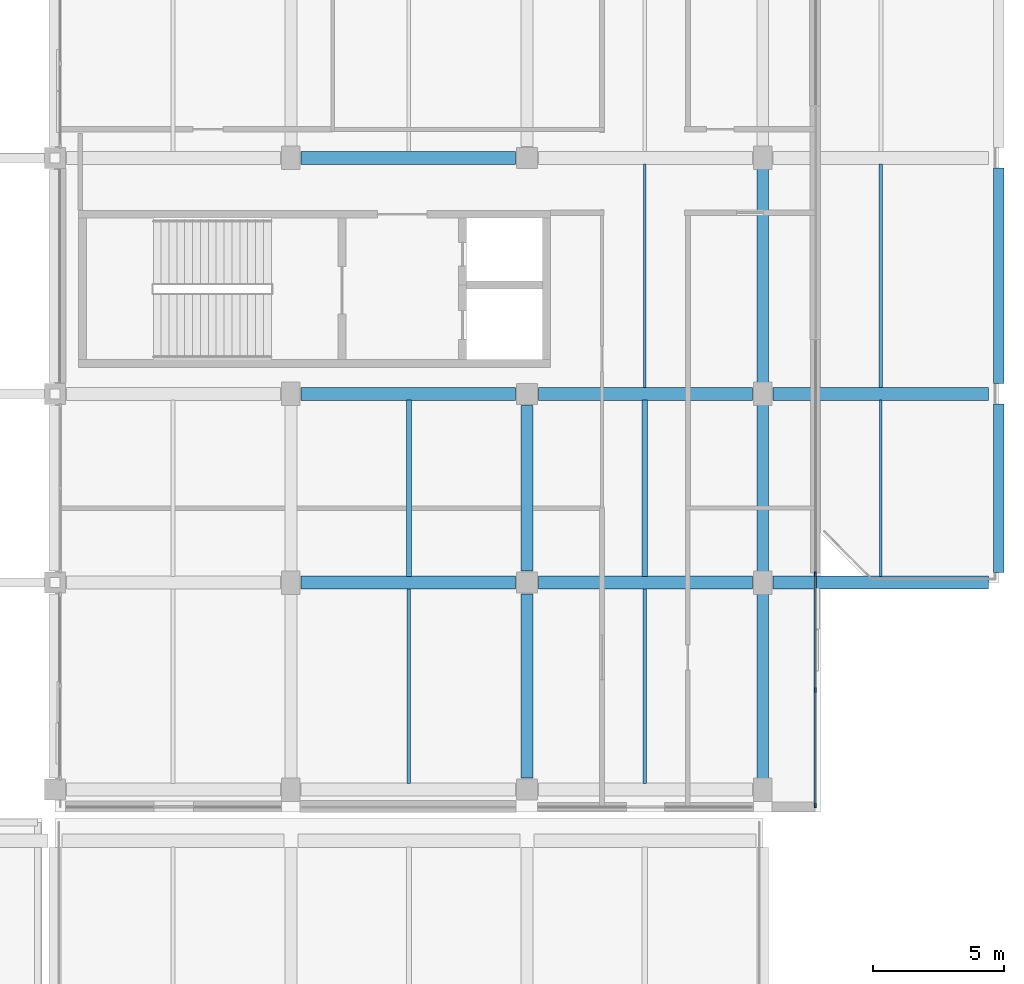
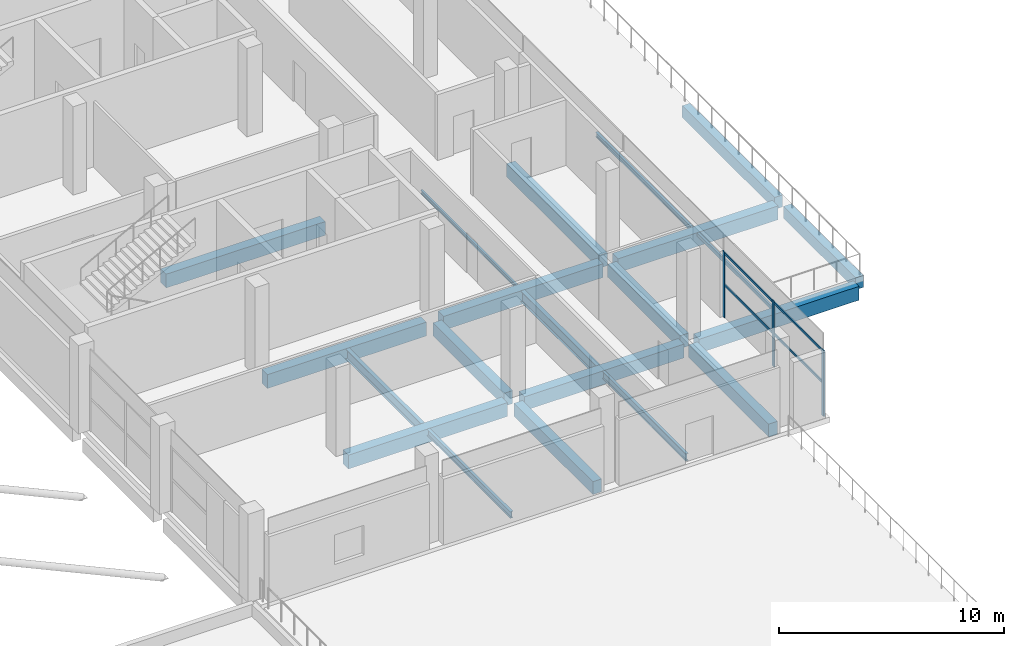
# One storey, part 26 of 82: 21 beams, 5 members, 1 element without a shape of its own.
"""IFC4 building model written with IfcOpenShell, lengths in metres."""

import ifcopenshell
import ifcopenshell.guid

model = None  # the IFC model being written
_history = None  # IfcOwnerHistory: only IFC2X3 demands one
_inside = {}  # id of a spatial element -> (the spatial element, [elements in it])
_under = {}  # id of a project, library or spatial element -> (it, [spatial elements below it])
_declared = {}  # id of a project -> (the project, [libraries it declares])
_typed = {}  # id of a type object -> (the type object, [elements of that type])
_made_of = {}  # id of a material, layer set ... -> (it, [elements and type objects made of it])


def new_model(schema):
    """Start an empty IFC model of exactly this schema.

    Asked for "IFC4X3", IfcOpenShell would pick the latest addendum, in which some entities
    have other attributes; the version numbers below select the first issue.
    IFC2X3 requires an IfcOwnerHistory on every rooted entity: one is made here for all.
    """
    global model, _history
    if schema == "IFC4X3":
        model = ifcopenshell.file(schema_version=(4, 3, 0, 0))
    else:
        model = ifcopenshell.file(schema=schema)
    _inside.clear()
    _under.clear()
    _declared.clear()
    _typed.clear()
    _made_of.clear()
    _history = None
    if model.schema == "IFC2X3":
        org = make("IfcOrganization", Name="unknown")
        user = make(
            "IfcPersonAndOrganization",
            ThePerson=make("IfcPerson", FamilyName="unknown"),
            TheOrganization=org,
        )
        app = make(
            "IfcApplication",
            ApplicationDeveloper=org,
            Version="unknown",
            ApplicationFullName="unknown",
            ApplicationIdentifier="unknown",
        )
        _history = make(
            "IfcOwnerHistory",
            OwningUser=user,
            OwningApplication=app,
            ChangeAction="ADDED",
            CreationDate=0,
        )
    return model


def make(cls, **values):
    """One entity of the class cls with the attributes given. An attribute that is None is left unset."""
    return model.create_entity(
        cls, **{name: value for name, value in values.items() if value is not None}
    )


def rooted(cls, **values):
    """An entity with a GlobalId (a new one), such as an element, a storey or a relation."""
    return make(cls, GlobalId=ifcopenshell.guid.new(), OwnerHistory=_history, **values)


def si_unit(unit_type, name, prefix=None):
    """IfcSIUnit, for example si_unit("LENGTHUNIT", "METRE", prefix="MILLI")."""
    return make("IfcSIUnit", UnitType=unit_type, Prefix=prefix, Name=name)


def assignment(units):
    """IfcUnitAssignment: the units of a project."""
    return None if units is None else make("IfcUnitAssignment", Units=units)


def point(xyz):
    """IfcCartesianPoint."""
    return None if xyz is None else make("IfcCartesianPoint", Coordinates=xyz)


def direction(xyz):
    """IfcDirection."""
    return None if xyz is None else make("IfcDirection", DirectionRatios=xyz)


def frame(location, z_axis=None, x_axis=None):
    """IfcAxis2Placement3D, a coordinate frame: its origin and axes. An axis left out is left unset."""
    return make(
        "IfcAxis2Placement3D",
        Location=point(location),
        Axis=direction(z_axis),
        RefDirection=direction(x_axis),
    )


def frame_2d(location, x_axis=None):
    """IfcAxis2Placement2D, a coordinate frame in the plane: its origin and x axis."""
    return make(
        "IfcAxis2Placement2D", Location=point(location), RefDirection=direction(x_axis)
    )


def origin():
    """The frame at (0, 0, 0) with its axes left unset."""
    return frame((0.0, 0.0, 0.0))


def origin_2d():
    """The frame at (0, 0) in the plane with its x axis left unset."""
    return frame_2d((0.0, 0.0))


def place(relative_to, where):
    """IfcLocalPlacement: puts the frame where relative to a parent placement (None: the world)."""
    return make(
        "IfcLocalPlacement", PlacementRelTo=relative_to, RelativePlacement=where
    )


def context(
    kind, dimensions, precision=None, world=None, true_north=None, identifier=None
):
    """IfcGeometricRepresentationContext, for example the 3D "Model" context."""
    return make(
        "IfcGeometricRepresentationContext",
        ContextIdentifier=identifier,
        ContextType=kind,
        CoordinateSpaceDimension=dimensions,
        Precision=precision,
        WorldCoordinateSystem=world,
        TrueNorth=true_north,
    )


def subcontext(parent, identifier, kind, view, scale=None):
    """IfcGeometricRepresentationSubContext, for example "Body" below "Model"."""
    return make(
        "IfcGeometricRepresentationSubContext",
        ContextIdentifier=identifier,
        ContextType=kind,
        ParentContext=parent,
        TargetScale=scale,
        TargetView=view,
    )


def project(units=None, contexts=None):
    """IfcProject with its units and contexts."""
    return rooted(
        "IfcProject",
        Name="project",
        RepresentationContexts=contexts,
        UnitsInContext=assignment(units),
    )


def spatial(cls, under=None, at=None, **own):
    """A site, building, storey or space (cls), placed at a placement, below another one or the project."""
    s = rooted(cls, ObjectPlacement=at, **own)
    if under is not None:
        _under.setdefault(under.id(), (under, []))[1].append(s)
    return s


def profile(cls, at=None, kind="AREA", **sizes):
    """A parametric profile (cls). Its sizes go by their IFC names, for example OverallWidth=200.0."""
    return make(cls, ProfileType=kind, Position=at, **sizes)


def rectangle(**sizes):
    """IfcRectangleProfileDef."""
    return profile("IfcRectangleProfileDef", **sizes)


def hollow_rectangle(**sizes):
    """IfcRectangleHollowProfileDef."""
    return profile("IfcRectangleHollowProfileDef", **sizes)


def i_section(**sizes):
    """IfcIShapeProfileDef."""
    return profile("IfcIShapeProfileDef", **sizes)


def extrude(swept, where, along, depth):
    """IfcExtrudedAreaSolid: the profile swept, set in the frame where, extruded along a direction by depth."""
    return make(
        "IfcExtrudedAreaSolid",
        SweptArea=swept,
        Position=where,
        ExtrudedDirection=direction(along),
        Depth=depth,
    )


def shape(context_of_items, identifier, shape_type, items):
    """IfcShapeRepresentation: the items that make up one representation, for example the "Body"."""
    return make(
        "IfcShapeRepresentation",
        ContextOfItems=context_of_items,
        RepresentationIdentifier=identifier,
        RepresentationType=shape_type,
        Items=items,
    )


def material(Name=None, Category=None):
    """IfcMaterial."""
    return make("IfcMaterial", Name=Name, Category=Category)


def material_profile(
    of_material, cross_section, Name=None, Category=None, Priority=None
):
    """IfcMaterialProfile: a cross section and its material."""
    return make(
        "IfcMaterialProfile",
        Name=Name,
        Material=of_material,
        Profile=cross_section,
        Priority=Priority,
        Category=Category,
    )


def profile_set(profiles, Name=None, composite=None):
    """IfcMaterialProfileSet."""
    return make(
        "IfcMaterialProfileSet",
        Name=Name,
        MaterialProfiles=profiles,
        CompositeProfile=composite,
    )


def made_of(thing, what):
    """Note that an element or type object is made of a material, layer set ...; save() writes the relation."""
    if what is not None:
        _made_of.setdefault(what.id(), (what, []))[1].append(thing)
    return thing


def type_object(cls, material=None, **own):
    """A type object (cls), such as IfcWallType, which elements share."""
    return made_of(rooted(cls, **own), material)


def element(
    cls,
    number,
    at=None,
    inside=None,
    cuts=None,
    type_object=None,
    material=None,
    context=None,
    identifier="Body",
    shape_type=None,
    held_by="IfcProductDefinitionShape",
    body=None,
    shapes=None,
    **own,
):
    """One element of the class cls, such as IfcWall. Its Tag is "e" and its number.

    at: its placement. inside: the storey or other place that contains it. cuts: it is an
    opening in that element (IfcRelVoidsElement). A single representation is given by context,
    identifier, shape_type and body (its items); several are given by shapes. held_by: the class
    of the entity that holds the representations. save() writes the other relations.
    """
    e = rooted(cls, Tag="e%d" % number, ObjectPlacement=at, **own)
    if body is not None:
        shapes = [shape(context, identifier, shape_type, body)]
    if shapes is not None:
        e.Representation = make(held_by, Representations=shapes)
    if inside is not None:
        _inside.setdefault(inside.id(), (inside, []))[1].append(e)
    if cuts is not None:
        rooted(
            "IfcRelVoidsElement", RelatingBuildingElement=cuts, RelatedOpeningElement=e
        )
    if type_object is not None:
        _typed.setdefault(type_object.id(), (type_object, []))[1].append(e)
    return made_of(e, material)


def aggregate(whole, parts):
    """IfcRelAggregates: a whole, such as a stair, and the parts it consists of."""
    return rooted("IfcRelAggregates", RelatingObject=whole, RelatedObjects=parts)


def save(model, path):
    """Write the relations noted so far, then the file.

    IfcRelAggregates (storeys below a building ...), IfcRelContainedInSpatialStructure (elements
    in a storey), IfcRelDefinesByType, IfcRelAssociatesMaterial and IfcRelDeclares: one each for
    every whole, place, type object, material and project.
    """
    for whole, parts in _under.values():
        aggregate(whole, parts)
    for where, things in _inside.values():
        rooted(
            "IfcRelContainedInSpatialStructure",
            RelatedElements=things,
            RelatingStructure=where,
        )
    for kind, things in _typed.values():
        rooted("IfcRelDefinesByType", RelatedObjects=things, RelatingType=kind)
    for what, things in _made_of.values():
        rooted("IfcRelAssociatesMaterial", RelatedObjects=things, RelatingMaterial=what)
    for by, libraries in _declared.values():
        rooted("IfcRelDeclares", RelatingContext=by, RelatedDefinitions=libraries)
    model.write(path)


model = new_model("IFC4")

# Units and contexts
model_context = context("Model", 3, precision=1e-05, world=origin(), true_north=direction((0.0, 1.0)))
body_context = subcontext(model_context, "Body", "Model", "MODEL_VIEW")
ifc_project = project(units=[si_unit("LENGTHUNIT", "METRE"), si_unit("AREAUNIT", "SQUARE_METRE"), si_unit("VOLUMEUNIT", "CUBIC_METRE"), si_unit("PLANEANGLEUNIT", "RADIAN"), si_unit("MASSUNIT", "GRAM", prefix="KILO"), si_unit("THERMODYNAMICTEMPERATUREUNIT", "KELVIN"), si_unit("POWERUNIT", "WATT")], contexts=[model_context])

# Site, building, storey
site_placement = place(None, origin())
site = spatial("IfcSite", under=ifc_project, at=site_placement, CompositionType="ELEMENT")
building_placement = place(site_placement, origin())
building = spatial("IfcBuilding", under=site, at=building_placement, Name="Sindhuravela Promenade Stadium", CompositionType="ELEMENT")
storey_placement = place(building_placement, frame((0.0, 0.0, 14.39990234375)))
storey = spatial("IfcBuildingStorey", under=building, at=storey_placement, Name="L03", CompositionType="ELEMENT", Elevation=14.39990234375)

# Curtain wall, members
ifc_material_1 = material(Name="Anodised architectural aluminium 6063-T6", Category="aluminium")
curtain_wall_type = type_object("IfcCurtainWallType", Name="CW-MOD-1", PredefinedType="NOTDEFINED", material=ifc_material_1)
curtain_wall_placement = place(storey_placement, origin())
curtain_wall = element("IfcCurtainWall", 1, at=curtain_wall_placement, inside=storey, type_object=curtain_wall_type, Name="Bronze curtain wall CW-EAST-L03-128", PredefinedType="NOTDEFINED")
ifc_material_profile_1 = material_profile(ifc_material_1, rectangle(XDim=0.06005859375, YDim=0.179931640625, at=origin_2d()), Name="ALU M60x180")
ifc_profile_set_1 = profile_set([ifc_material_profile_1], Name="Anodised architectural aluminium 6063-T6")
member_type_1 = type_object("IfcMemberType", Name="CW-MUL-3", PredefinedType="MULLION", material=ifc_profile_set_1)
member_1_placement = place(storey_placement, frame((209.0, 45.31494140625, 0.0), z_axis=(0.0, 0.0, 1.0), x_axis=(1.0, 0.0, 0.0)))
member_1 = element("IfcMember", 2, at=member_1_placement, type_object=member_type_1, Name="Curtain wall mullion CW-EAST-L03-128-M1", PredefinedType="MULLION", context=body_context, shape_type="SweptSolid", body=[
    extrude(rectangle(XDim=0.06005859375, YDim=0.179931640625, at=origin_2d()), origin(), (0.0, 0.0, 1.0), 3.580078125),
])
member_2_placement = place(storey_placement, frame((209.0, 40.905029296875, 0.0), z_axis=(0.0, 0.0, 1.0), x_axis=(1.0, 0.0, 0.0)))
member_2 = element("IfcMember", 3, at=member_2_placement, type_object=member_type_1, Name="Curtain wall mullion CW-EAST-L03-128-M2", PredefinedType="MULLION", context=body_context, shape_type="SweptSolid", body=[
    extrude(rectangle(XDim=0.06005859375, YDim=0.179931640625, at=origin_2d()), origin(), (0.0, 0.0, 1.0), 3.580078125),
])
member_3_placement = place(storey_placement, frame((209.0, 36.4951171875, 0.0), z_axis=(0.0, 0.0, 1.0), x_axis=(1.0, 0.0, 0.0)))
member_3 = element("IfcMember", 4, at=member_3_placement, type_object=member_type_1, Name="Curtain wall mullion CW-EAST-L03-128-M3", PredefinedType="MULLION", context=body_context, shape_type="SweptSolid", body=[
    extrude(rectangle(XDim=0.06005859375, YDim=0.179931640625, at=origin_2d()), origin(), (0.0, 0.0, 1.0), 3.580078125),
])
ifc_material_profile_2 = material_profile(ifc_material_1, rectangle(XDim=0.06005859375, YDim=0.1298828125, at=origin_2d()), Name="ALU T60x130")
ifc_profile_set_2 = profile_set([ifc_material_profile_2], Name="Anodised architectural aluminium 6063-T6")
member_type_2 = type_object("IfcMemberType", Name="CW-TRN-3", PredefinedType="USERDEFINED", material=ifc_profile_set_2)
member_4_placement = place(storey_placement, frame((209.0, 45.340087890625, 1.7900390625), z_axis=(0.0, -1.0, 0.0), x_axis=(1.0, 0.0, 0.0)))
member_4 = element("IfcMember", 5, at=member_4_placement, type_object=member_type_2, Name="Curtain wall transom CW-EAST-L03-128-T1", ObjectType="TRANSOM", PredefinedType="USERDEFINED", context=body_context, shape_type="SweptSolid", body=[
    extrude(rectangle(XDim=0.06005859375, YDim=0.1298828125, at=origin_2d()), origin(), (0.0, 0.0, 1.0), 8.8701171875),
])
member_5_placement = place(storey_placement, frame((209.0, 45.340087890625, 3.5), z_axis=(0.0, -1.0, 0.0), x_axis=(1.0, 0.0, 0.0)))
member_5 = element("IfcMember", 6, at=member_5_placement, type_object=member_type_2, Name="Curtain wall transom CW-EAST-L03-128-T2", ObjectType="TRANSOM", PredefinedType="USERDEFINED", context=body_context, shape_type="SweptSolid", body=[
    extrude(rectangle(XDim=0.06005859375, YDim=0.1298828125, at=origin_2d()), origin(), (0.0, 0.0, 1.0), 8.8701171875),
])
aggregate(curtain_wall, [member_1, member_2, member_3, member_4, member_5])

# Beams
ifc_material_2 = material(Name="Concrete M40", Category="concrete")
ifc_material_profile_3 = material_profile(ifc_material_2, rectangle(XDim=0.39990234375, YDim=0.64990234375, at=origin_2d()), Name="RC 400x650")
ifc_profile_set_3 = profile_set([ifc_material_profile_3], Name="Concrete M40")
beam_type_1 = type_object("IfcBeamType", Name="RC-BM-400x650", PredefinedType="SPANDREL", material=ifc_profile_set_3)
beam_1_placement = place(storey_placement, frame((216.0, 45.389892578125, -0.635009765625), z_axis=(0.0, 1.0, 0.0), x_axis=(-1.0, 0.0, 0.0)))
element("IfcBeam", 7, at=beam_1_placement, inside=storey, type_object=beam_type_1, Name="Primary beam SP01 EAST L03", PredefinedType="SPANDREL", context=body_context, shape_type="SweptSolid", body=[
    extrude(rectangle(XDim=0.39990234375, YDim=0.64990234375, at=origin_2d()), origin(), (0.0, 0.0, 1.0), 6.420166015625),
])
beam_2_placement = place(storey_placement, frame((216.0, 52.590087890625, -0.635009765625), z_axis=(0.0, 1.0, 0.0), x_axis=(-1.0, 0.0, 0.0)))
element("IfcBeam", 8, at=beam_2_placement, inside=storey, type_object=beam_type_1, Name="Primary beam SP01 EAST L03", PredefinedType="SPANDREL", context=body_context, shape_type="SweptSolid", body=[
    extrude(rectangle(XDim=0.39990234375, YDim=0.64990234375, at=origin_2d()), origin(), (0.0, 0.0, 1.0), 8.219970703125),
])
ifc_material_profile_4 = material_profile(ifc_material_2, rectangle(XDim=0.449951171875, YDim=0.699951171875, at=origin_2d()), Name="RC 450x700")
ifc_profile_set_4 = profile_set([ifc_material_profile_4], Name="Concrete M40")
beam_type_2 = type_object("IfcBeamType", Name="RC-BM-450x700", PredefinedType="BEAM", material=ifc_profile_set_4)
beam_3_placement = place(storey_placement, frame((198.0, 37.5400390625, -0.64990234375), z_axis=(0.0, 1.0, 0.0), x_axis=(-1.0, 0.0, 0.0)))
element("IfcBeam", 9, at=beam_3_placement, inside=storey, type_object=beam_type_2, Name="Primary beam GB07 EAST L03", PredefinedType="BEAM", context=body_context, shape_type="SweptSolid", body=[
    extrude(rectangle(XDim=0.449951171875, YDim=0.699951171875, at=origin_2d()), origin(), (0.0, 0.0, 1.0), 7.02001953125),
])
beam_4_placement = place(storey_placement, frame((198.0, 45.43994140625, -0.64990234375), z_axis=(0.0, 1.0, 0.0), x_axis=(-1.0, 0.0, 0.0)))
element("IfcBeam", 10, at=beam_4_placement, inside=storey, type_object=beam_type_2, Name="Primary beam GB07 EAST L03", PredefinedType="BEAM", context=body_context, shape_type="SweptSolid", body=[
    extrude(rectangle(XDim=0.449951171875, YDim=0.699951171875, at=origin_2d()), origin(), (0.0, 0.0, 1.0), 6.320068359375),
])
beam_5_placement = place(storey_placement, frame((207.0, 37.489990234375, -0.64990234375), z_axis=(0.0, 1.0, 0.0), x_axis=(-1.0, 0.0, 0.0)))
element("IfcBeam", 11, at=beam_5_placement, inside=storey, type_object=beam_type_2, Name="Primary beam GB07 EAST L03", PredefinedType="BEAM", context=body_context, shape_type="SweptSolid", body=[
    extrude(rectangle(XDim=0.449951171875, YDim=0.699951171875, at=origin_2d()), origin(), (0.0, 0.0, 1.0), 7.1201171875),
])
beam_6_placement = place(storey_placement, frame((207.0, 45.389892578125, -0.64990234375), z_axis=(0.0, 1.0, 0.0), x_axis=(-1.0, 0.0, 0.0)))
element("IfcBeam", 12, at=beam_6_placement, inside=storey, type_object=beam_type_2, Name="Primary beam GB07 EAST L03", PredefinedType="BEAM", context=body_context, shape_type="SweptSolid", body=[
    extrude(rectangle(XDim=0.449951171875, YDim=0.699951171875, at=origin_2d()), origin(), (0.0, 0.0, 1.0), 6.420166015625),
])
beam_7_placement = place(storey_placement, frame((207.0, 52.590087890625, -0.64990234375), z_axis=(0.0, 1.0, 0.0), x_axis=(-1.0, 0.0, 0.0)))
element("IfcBeam", 13, at=beam_7_placement, inside=storey, type_object=beam_type_2, Name="Primary beam GB07 EAST L03", PredefinedType="BEAM", context=body_context, shape_type="SweptSolid", body=[
    extrude(rectangle(XDim=0.449951171875, YDim=0.699951171875, at=origin_2d()), origin(), (0.0, 0.0, 1.0), 8.219970703125),
])
ifc_material_profile_5 = material_profile(ifc_material_2, rectangle(XDim=0.5, YDim=0.75, at=origin_2d()), Name="RC 500x750")
ifc_profile_set_5 = profile_set([ifc_material_profile_5], Name="Concrete M40")
beam_type_3 = type_object("IfcBeamType", Name="RC-BM-500x750", PredefinedType="BEAM", material=ifc_profile_set_5)
for number, where, z_axis, x_axis, name in (
    (14, (189.389892578125, 45.0, -0.6748046875), (1.0, 0.0, 0.0), (0.0, 1.0, 0.0), "Primary girder GB06 EAST L03"),
    (15, (198.43994140625, 45.0, -0.6748046875), (1.0, 0.0, 0.0), (0.0, 1.0, 0.0), "Primary girder GB06 EAST L03"),
):
    element("IfcBeam", number, at=place(storey_placement, frame(where, z_axis=z_axis, x_axis=x_axis)), inside=storey, type_object=beam_type_3, Name=name, PredefinedType="BEAM", context=body_context, shape_type="SweptSolid", body=[
        extrude(rectangle(XDim=0.5, YDim=0.75, at=origin_2d()), origin(), (0.0, 0.0, 1.0), 8.170166015625),
    ])
beam_8_placement = place(storey_placement, frame((207.389892578125, 45.0, -0.684814453125), z_axis=(1.0, 0.0, 0.0), x_axis=(0.0, 1.0, 0.0)))
element("IfcBeam", 16, at=beam_8_placement, inside=storey, type_object=beam_type_3, Name="Primary girder GB06 EAST L03", PredefinedType="BEAM", context=body_context, shape_type="SweptSolid", body=[
    extrude(rectangle(XDim=0.5, YDim=0.75, at=origin_2d()), origin(), (0.0, 0.0, 1.0), 8.22021484375),
])
for number, where, z_axis, x_axis, name in (
    (17, (189.389892578125, 52.199951171875, -0.6748046875), (1.0, 0.0, 0.0), (0.0, 1.0, 0.0), "Primary girder GB06 EAST L03"),
    (18, (198.43994140625, 52.199951171875, -0.6748046875), (1.0, 0.0, 0.0), (0.0, 1.0, 0.0), "Primary girder GB06 EAST L03"),
):
    element("IfcBeam", number, at=place(storey_placement, frame(where, z_axis=z_axis, x_axis=x_axis)), inside=storey, type_object=beam_type_3, Name=name, PredefinedType="BEAM", context=body_context, shape_type="SweptSolid", body=[
        extrude(rectangle(XDim=0.5, YDim=0.75, at=origin_2d()), origin(), (0.0, 0.0, 1.0), 8.170166015625),
    ])
beam_9_placement = place(storey_placement, frame((207.389892578125, 52.199951171875, -0.684814453125), z_axis=(1.0, 0.0, 0.0), x_axis=(0.0, 1.0, 0.0)))
element("IfcBeam", 19, at=beam_9_placement, inside=storey, type_object=beam_type_3, Name="Primary girder GB06 EAST L03", PredefinedType="BEAM", context=body_context, shape_type="SweptSolid", body=[
    extrude(rectangle(XDim=0.5, YDim=0.75, at=origin_2d()), origin(), (0.0, 0.0, 1.0), 8.22021484375),
])
beam_10_placement = place(storey_placement, frame((189.389892578125, 61.199951171875, -0.6748046875), z_axis=(1.0, 0.0, 0.0), x_axis=(0.0, 1.0, 0.0)))
element("IfcBeam", 20, at=beam_10_placement, inside=storey, type_object=beam_type_3, Name="Primary girder GB06 EAST L03", PredefinedType="BEAM", context=body_context, shape_type="SweptSolid", body=[
    extrude(rectangle(XDim=0.5, YDim=0.75, at=origin_2d()), origin(), (0.0, 0.0, 1.0), 8.170166015625),
])
ifc_material_3 = material(Name="Steel E350 (IS 2062 E350BR)", Category="steel")
ifc_material_profile_6 = material_profile(ifc_material_3, hollow_rectangle(XDim=0.10009765625, YDim=0.199951171875, WallThickness=0.008056640625, at=origin_2d()), Name="RHS 200x100x8")
ifc_profile_set_6 = profile_set([ifc_material_profile_6], Name="Steel E350 (IS 2062 E350BR)")
beam_type_4 = type_object("IfcBeamType", Name="ST-BM-LNT200", PredefinedType="LINTEL", material=ifc_profile_set_6)
beam_11_placement = place(storey_placement, frame((211.5, 45.239990234375, -0.409912109375), z_axis=(0.0, 1.0, 0.0), x_axis=(-1.0, 0.0, 0.0)))
element("IfcBeam", 21, at=beam_11_placement, inside=storey, type_object=beam_type_4, Name="Secondary floor joist LN01 EAST L03", PredefinedType="LINTEL", context=body_context, shape_type="SweptSolid", body=[
    extrude(hollow_rectangle(XDim=0.10009765625, YDim=0.199951171875, WallThickness=0.008056640625, at=origin_2d()), origin(), (0.0, 0.0, 1.0), 6.719970703125),
])
ifc_material_profile_7 = material_profile(ifc_material_3, i_section(OverallWidth=0.10009765625, OverallDepth=0.199951171875, WebThickness=0.005615234375, FlangeThickness=0.0107421875, FilletRadius=0.010986328125, at=origin_2d()), Name="ISMB 200")
ifc_profile_set_7 = profile_set([ifc_material_profile_7], Name="Steel E350 (IS 2062 E350BR)")
beam_type_5 = type_object("IfcBeamType", Name="ST-BM-MB200", PredefinedType="JOIST", material=ifc_profile_set_7)
beam_12_placement = place(storey_placement, frame((202.5, 52.43994140625, -0.39990234375), z_axis=(0.0, 1.0, 0.0), x_axis=(-1.0, 0.0, 0.0)))
element("IfcBeam", 22, at=beam_12_placement, inside=storey, type_object=beam_type_5, Name="Secondary floor joist SB01 EAST L03", PredefinedType="JOIST", context=body_context, shape_type="SweptSolid", body=[
    extrude(i_section(OverallWidth=0.10009765625, OverallDepth=0.199951171875, WebThickness=0.005615234375, FlangeThickness=0.0107421875, FilletRadius=0.010986328125, at=origin_2d()), origin(), (0.0, 0.0, 1.0), 8.52001953125),
])
ifc_material_profile_8 = material_profile(ifc_material_3, i_section(OverallWidth=0.125, OverallDepth=0.25, WebThickness=0.0068359375, FlangeThickness=0.012451171875, FilletRadius=0.012939453125, at=origin_2d()), Name="ISMB 250")
ifc_profile_set_8 = profile_set([ifc_material_profile_8], Name="Steel E350 (IS 2062 E350BR)")
beam_type_6 = type_object("IfcBeamType", Name="ST-BM-MB250", PredefinedType="JOIST", material=ifc_profile_set_8)
beam_13_placement = place(storey_placement, frame((211.5, 52.43994140625, -0.434814453125), z_axis=(0.0, 1.0, 0.0), x_axis=(-1.0, 0.0, 0.0)))
element("IfcBeam", 23, at=beam_13_placement, inside=storey, type_object=beam_type_6, Name="Secondary floor joist SB02 EAST L03", PredefinedType="JOIST", context=body_context, shape_type="SweptSolid", body=[
    extrude(i_section(OverallWidth=0.125, OverallDepth=0.25, WebThickness=0.0068359375, FlangeThickness=0.012451171875, FilletRadius=0.012939453125, at=origin_2d()), origin(), (0.0, 0.0, 1.0), 8.52001953125),
])
ifc_material_profile_9 = material_profile(ifc_material_3, i_section(OverallWidth=0.139892578125, OverallDepth=0.35009765625, WebThickness=0.008056640625, FlangeThickness=0.01416015625, FilletRadius=0.013916015625, at=origin_2d()), Name="ISMB 350")
ifc_profile_set_9 = profile_set([ifc_material_profile_9], Name="Steel E350 (IS 2062 E350BR)")
beam_type_7 = type_object("IfcBeamType", Name="ST-BM-MB350", PredefinedType="JOIST", material=ifc_profile_set_9)
beam_14_placement = place(storey_placement, frame((193.5, 37.340087890625, -0.474853515625), z_axis=(0.0, 1.0, 0.0), x_axis=(-1.0, 0.0, 0.0)))
element("IfcBeam", 24, at=beam_14_placement, inside=storey, type_object=beam_type_7, Name="Secondary floor joist SB04 EAST L03", PredefinedType="JOIST", context=body_context, shape_type="SweptSolid", body=[
    extrude(i_section(OverallWidth=0.139892578125, OverallDepth=0.35009765625, WebThickness=0.008056640625, FlangeThickness=0.01416015625, FilletRadius=0.013916015625, at=origin_2d()), origin(), (0.0, 0.0, 1.0), 7.419921875),
])
ifc_material_profile_10 = material_profile(ifc_material_3, i_section(OverallWidth=0.139892578125, OverallDepth=0.39990234375, WebThickness=0.0087890625, FlangeThickness=0.01611328125, FilletRadius=0.013916015625, at=origin_2d()), Name="ISMB 400")
ifc_profile_set_10 = profile_set([ifc_material_profile_10], Name="Steel E350 (IS 2062 E350BR)")
beam_type_8 = type_object("IfcBeamType", Name="ST-BM-MB400", PredefinedType="BEAM", material=ifc_profile_set_10)
beam_15_placement = place(storey_placement, frame((202.5, 37.340087890625, -0.5), z_axis=(0.0, 1.0, 0.0), x_axis=(-1.0, 0.0, 0.0)))
element("IfcBeam", 25, at=beam_15_placement, inside=storey, type_object=beam_type_8, Name="Secondary floor joist SB05 EAST L03", PredefinedType="BEAM", context=body_context, shape_type="SweptSolid", body=[
    extrude(i_section(OverallWidth=0.139892578125, OverallDepth=0.39990234375, WebThickness=0.0087890625, FlangeThickness=0.01611328125, FilletRadius=0.013916015625, at=origin_2d()), origin(), (0.0, 0.0, 1.0), 7.419921875),
])
ifc_material_profile_11 = material_profile(ifc_material_3, i_section(OverallWidth=0.18994140625, OverallDepth=0.550048828125, WebThickness=0.01123046875, FlangeThickness=0.019287109375, FilletRadius=0.01806640625, at=origin_2d()), Name="ISMB 550")
ifc_profile_set_11 = profile_set([ifc_material_profile_11], Name="Steel E350 (IS 2062 E350BR)")
beam_type_9 = type_object("IfcBeamType", Name="ST-BM-MB550", PredefinedType="SPANDREL", material=ifc_profile_set_11)
beam_16_placement = place(storey_placement, frame((193.5, 45.239990234375, -0.574951171875), z_axis=(0.0, 1.0, 0.0), x_axis=(-1.0, 0.0, 0.0)))
element("IfcBeam", 26, at=beam_16_placement, inside=storey, type_object=beam_type_9, Name="Secondary floor joist SB08 EAST L03", PredefinedType="SPANDREL", context=body_context, shape_type="SweptSolid", body=[
    extrude(i_section(OverallWidth=0.18994140625, OverallDepth=0.550048828125, WebThickness=0.01123046875, FlangeThickness=0.019287109375, FilletRadius=0.01806640625, at=origin_2d()), origin(), (0.0, 0.0, 1.0), 6.719970703125),
])
ifc_material_profile_12 = material_profile(ifc_material_3, i_section(OverallWidth=0.2099609375, OverallDepth=0.60009765625, WebThickness=0.011962890625, FlangeThickness=0.020751953125, FilletRadius=0.02001953125, at=origin_2d()), Name="ISMB 600")
ifc_profile_set_12 = profile_set([ifc_material_profile_12], Name="Steel E350 (IS 2062 E350BR)")
beam_type_10 = type_object("IfcBeamType", Name="ST-BM-MB600", PredefinedType="BEAM", material=ifc_profile_set_12)
beam_17_placement = place(storey_placement, frame((202.5, 45.239990234375, -0.599853515625), z_axis=(0.0, 1.0, 0.0), x_axis=(-1.0, 0.0, 0.0)))
element("IfcBeam", 27, at=beam_17_placement, inside=storey, type_object=beam_type_10, Name="Secondary floor joist SB09 EAST L03", PredefinedType="BEAM", context=body_context, shape_type="SweptSolid", body=[
    extrude(i_section(OverallWidth=0.2099609375, OverallDepth=0.60009765625, WebThickness=0.011962890625, FlangeThickness=0.020751953125, FilletRadius=0.02001953125, at=origin_2d()), origin(), (0.0, 0.0, 1.0), 6.719970703125),
])

save(model, "model.ifc")
